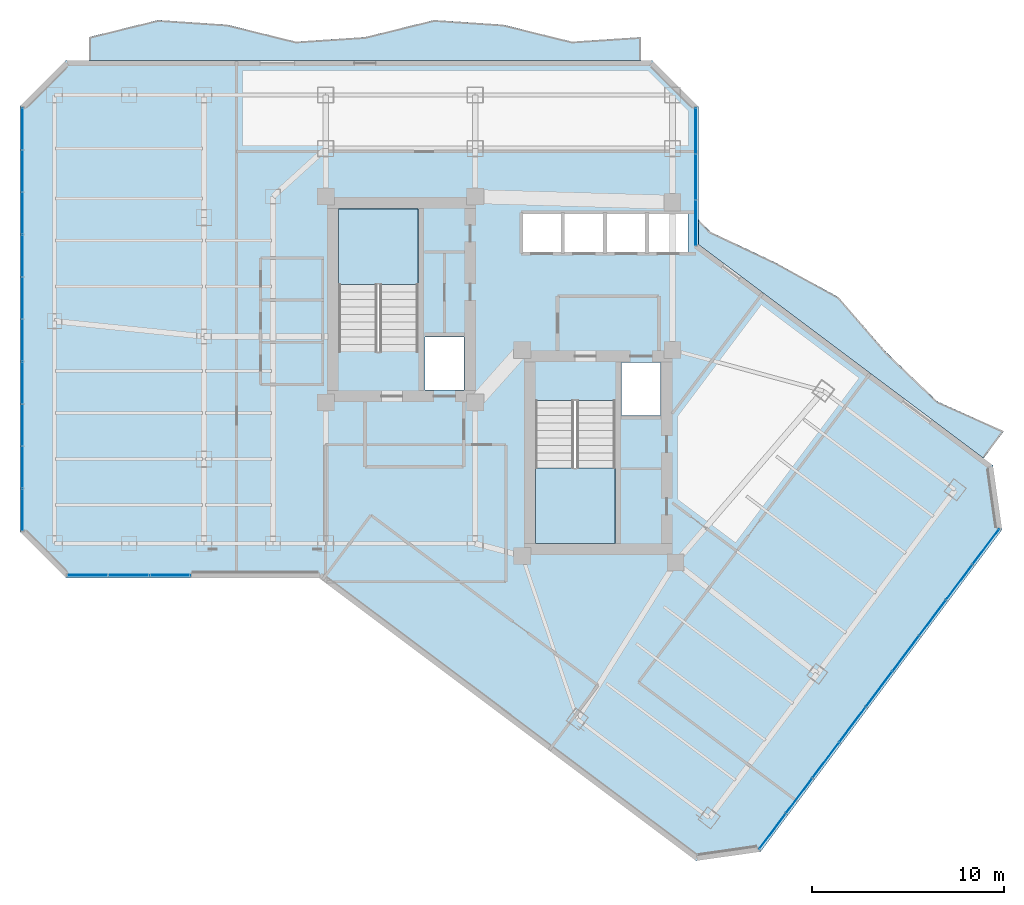
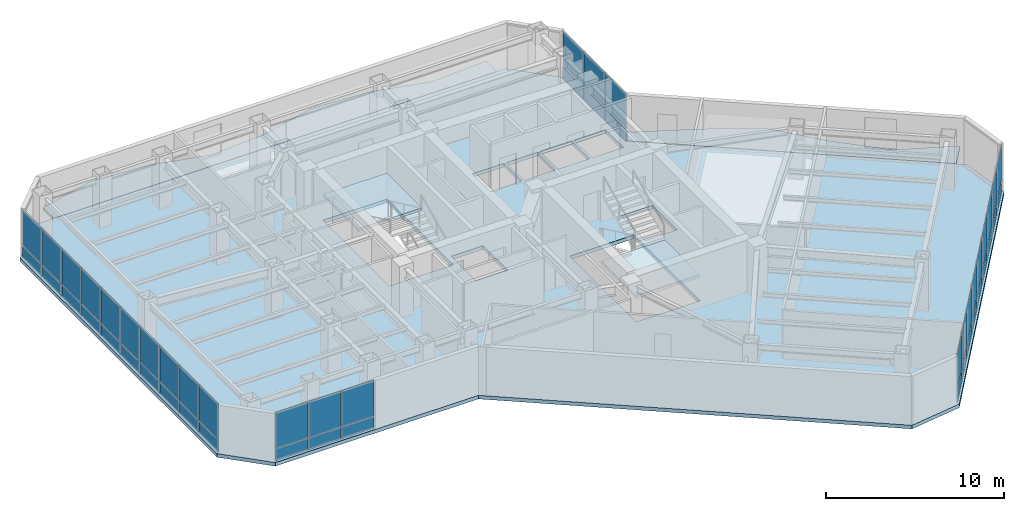
# One storey, part 20 of 26: 50 plates, 5 slabs, 6 elements without a shape of their own.
"""IFC4 building model written with IfcOpenShell, lengths in metres."""

from ifc_helpers import new_model, si_unit, direction, frame, origin, origin_2d, place, context, subcontext, project, spatial, polyline, rectangle, outline, extrude, material, layer, layer_set, type_object, element, aggregate, save


model = new_model("IFC4")

# Units and contexts
model_context = context("Model", 3, precision=1e-05, world=origin(), true_north=direction((0.0, 1.0)))
body_context = subcontext(model_context, "Body", "Model", "MODEL_VIEW")
ifc_project = project(units=[si_unit("LENGTHUNIT", "METRE"), si_unit("AREAUNIT", "SQUARE_METRE"), si_unit("VOLUMEUNIT", "CUBIC_METRE"), si_unit("PLANEANGLEUNIT", "RADIAN"), si_unit("MASSUNIT", "GRAM", prefix="KILO")], contexts=[model_context])

# Site, building, storey
site_placement = place(None, origin())
site = spatial("IfcSite", under=ifc_project, at=site_placement, CompositionType="ELEMENT")
building_placement = place(site_placement, origin())
building = spatial("IfcBuilding", under=site, at=building_placement, Name="Hatsunagi Terrace Concourse", CompositionType="ELEMENT")
storey_placement = place(building_placement, frame((0.0, 0.0, 152.85009765625)))
storey = spatial("IfcBuildingStorey", under=building, at=storey_placement, Name="L40", CompositionType="ELEMENT", Elevation=152.85009765625)

# Curtain wall, plates
ifc_material_1 = material(Name="Anodised Aluminium Alloy 6063-T5", Category="aluminium")
ifc_layer_1 = layer(ifc_material_1, 0.199951171875)
ifc_layer_set_1 = layer_set([ifc_layer_1], Name="OfficeZone1_CW03")
curtain_wall_type = type_object("IfcCurtainWallType", Name="OfficeZone1_CW03", PredefinedType="NOTDEFINED", material=ifc_layer_set_1)
curtain_wall_1_placement = place(storey_placement, origin())
curtain_wall_1 = element("IfcCurtainWall", 1, at=curtain_wall_1_placement, inside=storey, type_object=curtain_wall_type, Name="Unitised Curtain Wall CW-03 CW-L40-03", PredefinedType="NOTDEFINED")
ifc_material_2 = material(Name="Warm Terracotta Ceramic Spandrel Panel", Category="masonry")
ifc_layer_2 = layer(ifc_material_2, 0.031982421875)
ifc_layer_set_2 = layer_set([ifc_layer_2], Name="CurtainWallSpandrelPanel_32")
plate_type_1 = type_object("IfcPlateType", Name="CurtainWallSpandrelPanel_32", PredefinedType="SHEET", material=ifc_layer_set_2)
plate_1_placement = place(storey_placement, frame((59.9970703125, 25.030029296875, 0.02978515625), z_axis=(0.0, 0.0, 1.0), x_axis=(-0.599969314634, -0.800023013105, 0.0)))
plate_1 = element("IfcPlate", 2, at=plate_1_placement, type_object=plate_type_1, Name="Terracotta Spandrel Panel SPN-01", PredefinedType="SHEET", context=body_context, shape_type="SweptSolid", body=[
    extrude(rectangle(XDim=2.264892578125, YDim=0.031982421875, at=origin_2d()), origin(), (0.0, 0.0, 1.0), 0.7900390625),
])
plate_2_placement = place(storey_placement, frame((58.60498046875, 23.173095703125, 0.02978515625), z_axis=(0.0, 0.0, 1.0), x_axis=(-0.599969314634, -0.800023013105, 0.0)))
plate_2 = element("IfcPlate", 3, at=plate_2_placement, type_object=plate_type_1, Name="Terracotta Spandrel Panel SPN-01", PredefinedType="SHEET", context=body_context, shape_type="SweptSolid", body=[
    extrude(rectangle(XDim=2.264892578125, YDim=0.031982421875, at=origin_2d()), origin(), (0.0, 0.0, 1.0), 0.7900390625),
])
plate_3_placement = place(storey_placement, frame((57.2119140625, 21.31689453125, 0.02978515625), z_axis=(0.0, 0.0, 1.0), x_axis=(-0.599969314634, -0.800023013105, 0.0)))
plate_3 = element("IfcPlate", 4, at=plate_3_placement, type_object=plate_type_1, Name="Terracotta Spandrel Panel SPN-01", PredefinedType="SHEET", context=body_context, shape_type="SweptSolid", body=[
    extrude(rectangle(XDim=2.264892578125, YDim=0.031982421875, at=origin_2d()), origin(), (0.0, 0.0, 1.0), 0.7900390625),
])
plate_4_placement = place(storey_placement, frame((55.820068359375, 19.4599609375, 0.02978515625), z_axis=(0.0, 0.0, 1.0), x_axis=(-0.599969314634, -0.800023013105, 0.0)))
plate_4 = element("IfcPlate", 5, at=plate_4_placement, type_object=plate_type_1, Name="Terracotta Spandrel Panel SPN-01", PredefinedType="SHEET", context=body_context, shape_type="SweptSolid", body=[
    extrude(rectangle(XDim=2.264892578125, YDim=0.031982421875, at=origin_2d()), origin(), (0.0, 0.0, 1.0), 0.7900390625),
])
plate_5_placement = place(storey_placement, frame((54.427978515625, 17.60400390625, 0.02978515625), z_axis=(0.0, 0.0, 1.0), x_axis=(-0.599969314634, -0.800023013105, 0.0)))
plate_5 = element("IfcPlate", 6, at=plate_5_placement, type_object=plate_type_1, Name="Terracotta Spandrel Panel SPN-01", PredefinedType="SHEET", context=body_context, shape_type="SweptSolid", body=[
    extrude(rectangle(XDim=2.264892578125, YDim=0.031982421875, at=origin_2d()), origin(), (0.0, 0.0, 1.0), 0.7900390625),
])
plate_6_placement = place(storey_placement, frame((53.035888671875, 15.748046875, 0.02978515625), z_axis=(0.0, 0.0, 1.0), x_axis=(-0.599969314634, -0.800023013105, 0.0)))
plate_6 = element("IfcPlate", 7, at=plate_6_placement, type_object=plate_type_1, Name="Terracotta Spandrel Panel SPN-01", PredefinedType="SHEET", context=body_context, shape_type="SweptSolid", body=[
    extrude(rectangle(XDim=2.264892578125, YDim=0.031982421875, at=origin_2d()), origin(), (0.0, 0.0, 1.0), 0.7900390625),
])
plate_7_placement = place(storey_placement, frame((51.64404296875, 13.89111328125, 0.02978515625), z_axis=(0.0, 0.0, 1.0), x_axis=(-0.599969314634, -0.800023013105, 0.0)))
plate_7 = element("IfcPlate", 8, at=plate_7_placement, type_object=plate_type_1, Name="Terracotta Spandrel Panel SPN-01", PredefinedType="SHEET", context=body_context, shape_type="SweptSolid", body=[
    extrude(rectangle(XDim=2.264892578125, YDim=0.031982421875, at=origin_2d()), origin(), (0.0, 0.0, 1.0), 0.7900390625),
])
plate_8_placement = place(storey_placement, frame((50.2509765625, 12.034912109375, 0.02978515625), z_axis=(0.0, 0.0, 1.0), x_axis=(-0.599969314634, -0.800023013105, 0.0)))
plate_8 = element("IfcPlate", 9, at=plate_8_placement, type_object=plate_type_1, Name="Terracotta Spandrel Panel SPN-01", PredefinedType="SHEET", context=body_context, shape_type="SweptSolid", body=[
    extrude(rectangle(XDim=2.264892578125, YDim=0.031982421875, at=origin_2d()), origin(), (0.0, 0.0, 1.0), 0.7900390625),
])
plate_9_placement = place(storey_placement, frame((48.85888671875, 10.177978515625, 0.02978515625), z_axis=(0.0, 0.0, 1.0), x_axis=(-0.599969314634, -0.800023013105, 0.0)))
plate_9 = element("IfcPlate", 10, at=plate_9_placement, type_object=plate_type_1, Name="Terracotta Spandrel Panel SPN-01", PredefinedType="SHEET", context=body_context, shape_type="SweptSolid", body=[
    extrude(rectangle(XDim=2.264892578125, YDim=0.031982421875, at=origin_2d()), origin(), (0.0, 0.0, 1.0), 0.7900390625),
])

curtain_wall_2_placement = place(storey_placement, origin())
curtain_wall_2 = element("IfcCurtainWall", 11, at=curtain_wall_2_placement, inside=storey, type_object=curtain_wall_type, Name="Unitised Curtain Wall CW-03 CW-L40-07", PredefinedType="NOTDEFINED")
plate_10_placement = place(storey_placement, frame((17.426025390625, 23.5400390625, 0.02978515625), z_axis=(0.0, 0.0, 1.0), x_axis=(-1.0, 0.0, 0.0)))
plate_10 = element("IfcPlate", 12, at=plate_10_placement, type_object=plate_type_1, Name="Terracotta Spandrel Panel SPN-01", PredefinedType="SHEET", context=body_context, shape_type="SweptSolid", body=[
    extrude(rectangle(XDim=2.092041015625, YDim=0.031982421875, at=origin_2d()), origin(), (0.0, 0.0, 1.0), 0.7900390625),
])
plate_11_placement = place(storey_placement, frame((15.279052734375, 23.5400390625, 0.02978515625), z_axis=(0.0, 0.0, 1.0), x_axis=(-1.0, 0.0, 0.0)))
plate_11 = element("IfcPlate", 13, at=plate_11_placement, type_object=plate_type_1, Name="Terracotta Spandrel Panel SPN-01", PredefinedType="SHEET", context=body_context, shape_type="SweptSolid", body=[
    extrude(rectangle(XDim=2.092041015625, YDim=0.031982421875, at=origin_2d()), origin(), (0.0, 0.0, 1.0), 0.7900390625),
])
plate_12_placement = place(storey_placement, frame((13.132080078125, 23.5400390625, 0.02978515625), z_axis=(0.0, 0.0, 1.0), x_axis=(-1.0, 0.0, 0.0)))
plate_12 = element("IfcPlate", 14, at=plate_12_placement, type_object=plate_type_1, Name="Terracotta Spandrel Panel SPN-01", PredefinedType="SHEET", context=body_context, shape_type="SweptSolid", body=[
    extrude(rectangle(XDim=2.092041015625, YDim=0.031982421875, at=origin_2d()), origin(), (0.0, 0.0, 1.0), 0.7900390625),
])

curtain_wall_3_placement = place(storey_placement, origin())
curtain_wall_3 = element("IfcCurtainWall", 15, at=curtain_wall_3_placement, inside=storey, type_object=curtain_wall_type, Name="Unitised Curtain Wall CW-03 CW-L40-09", PredefinedType="NOTDEFINED")
plate_13_placement = place(storey_placement, frame((9.739990234375, 26.9619140625, 0.02978515625), z_axis=(0.0, 0.0, 1.0), x_axis=(0.0, 1.0, 0.0)))
plate_13 = element("IfcPlate", 16, at=plate_13_placement, type_object=plate_type_1, Name="Terracotta Spandrel Panel SPN-01", PredefinedType="SHEET", context=body_context, shape_type="SweptSolid", body=[
    extrude(rectangle(XDim=2.153076171875, YDim=0.031982421875, at=origin_2d()), origin(), (0.0, 0.0, 1.0), 0.7900390625),
])
plate_14_placement = place(storey_placement, frame((9.739990234375, 29.1708984375, 0.02978515625), z_axis=(0.0, 0.0, 1.0), x_axis=(0.0, 1.0, 0.0)))
plate_14 = element("IfcPlate", 17, at=plate_14_placement, type_object=plate_type_1, Name="Terracotta Spandrel Panel SPN-01", PredefinedType="SHEET", context=body_context, shape_type="SweptSolid", body=[
    extrude(rectangle(XDim=2.153076171875, YDim=0.031982421875, at=origin_2d()), origin(), (0.0, 0.0, 1.0), 0.7900390625),
])
plate_15_placement = place(storey_placement, frame((9.739990234375, 31.37890625, 0.02978515625), z_axis=(0.0, 0.0, 1.0), x_axis=(0.0, 1.0, 0.0)))
plate_15 = element("IfcPlate", 18, at=plate_15_placement, type_object=plate_type_1, Name="Terracotta Spandrel Panel SPN-01", PredefinedType="SHEET", context=body_context, shape_type="SweptSolid", body=[
    extrude(rectangle(XDim=2.153076171875, YDim=0.031982421875, at=origin_2d()), origin(), (0.0, 0.0, 1.0), 0.7900390625),
])
plate_16_placement = place(storey_placement, frame((9.739990234375, 33.5869140625, 0.02978515625), z_axis=(0.0, 0.0, 1.0), x_axis=(0.0, 1.0, 0.0)))
plate_16 = element("IfcPlate", 19, at=plate_16_placement, type_object=plate_type_1, Name="Terracotta Spandrel Panel SPN-01", PredefinedType="SHEET", context=body_context, shape_type="SweptSolid", body=[
    extrude(rectangle(XDim=2.153076171875, YDim=0.031982421875, at=origin_2d()), origin(), (0.0, 0.0, 1.0), 0.7900390625),
])
plate_17_placement = place(storey_placement, frame((9.739990234375, 35.7958984375, 0.02978515625), z_axis=(0.0, 0.0, 1.0), x_axis=(0.0, 1.0, 0.0)))
plate_17 = element("IfcPlate", 20, at=plate_17_placement, type_object=plate_type_1, Name="Terracotta Spandrel Panel SPN-01", PredefinedType="SHEET", context=body_context, shape_type="SweptSolid", body=[
    extrude(rectangle(XDim=2.153076171875, YDim=0.031982421875, at=origin_2d()), origin(), (0.0, 0.0, 1.0), 0.7900390625),
])
plate_18_placement = place(storey_placement, frame((9.739990234375, 38.00390625, 0.02978515625), z_axis=(0.0, 0.0, 1.0), x_axis=(0.0, 1.0, 0.0)))
plate_18 = element("IfcPlate", 21, at=plate_18_placement, type_object=plate_type_1, Name="Terracotta Spandrel Panel SPN-01", PredefinedType="SHEET", context=body_context, shape_type="SweptSolid", body=[
    extrude(rectangle(XDim=2.153076171875, YDim=0.031982421875, at=origin_2d()), origin(), (0.0, 0.0, 1.0), 0.7900390625),
])
plate_19_placement = place(storey_placement, frame((9.739990234375, 40.212890625, 0.02978515625), z_axis=(0.0, 0.0, 1.0), x_axis=(0.0, 1.0, 0.0)))
plate_19 = element("IfcPlate", 22, at=plate_19_placement, type_object=plate_type_1, Name="Terracotta Spandrel Panel SPN-01", PredefinedType="SHEET", context=body_context, shape_type="SweptSolid", body=[
    extrude(rectangle(XDim=2.153076171875, YDim=0.031982421875, at=origin_2d()), origin(), (0.0, 0.0, 1.0), 0.7900390625),
])
plate_20_placement = place(storey_placement, frame((9.739990234375, 42.4208984375, 0.02978515625), z_axis=(0.0, 0.0, 1.0), x_axis=(0.0, 1.0, 0.0)))
plate_20 = element("IfcPlate", 23, at=plate_20_placement, type_object=plate_type_1, Name="Terracotta Spandrel Panel SPN-01", PredefinedType="SHEET", context=body_context, shape_type="SweptSolid", body=[
    extrude(rectangle(XDim=2.153076171875, YDim=0.031982421875, at=origin_2d()), origin(), (0.0, 0.0, 1.0), 0.7900390625),
])
plate_21_placement = place(storey_placement, frame((9.739990234375, 44.62890625, 0.02978515625), z_axis=(0.0, 0.0, 1.0), x_axis=(0.0, 1.0, 0.0)))
plate_21 = element("IfcPlate", 24, at=plate_21_placement, type_object=plate_type_1, Name="Terracotta Spandrel Panel SPN-01", PredefinedType="SHEET", context=body_context, shape_type="SweptSolid", body=[
    extrude(rectangle(XDim=2.153076171875, YDim=0.031982421875, at=origin_2d()), origin(), (0.0, 0.0, 1.0), 0.7900390625),
])
plate_22_placement = place(storey_placement, frame((9.739990234375, 46.837890625, 0.02978515625), z_axis=(0.0, 0.0, 1.0), x_axis=(0.0, 1.0, 0.0)))
plate_22 = element("IfcPlate", 25, at=plate_22_placement, type_object=plate_type_1, Name="Terracotta Spandrel Panel SPN-01", PredefinedType="SHEET", context=body_context, shape_type="SweptSolid", body=[
    extrude(rectangle(XDim=2.153076171875, YDim=0.031982421875, at=origin_2d()), origin(), (0.0, 0.0, 1.0), 0.7900390625),
])

curtain_wall_4_placement = place(storey_placement, origin())
curtain_wall_4 = element("IfcCurtainWall", 26, at=curtain_wall_4_placement, inside=storey, type_object=curtain_wall_type, Name="Unitised Curtain Wall CW-03 CW-L40-13", PredefinedType="NOTDEFINED")
plate_23_placement = place(storey_placement, frame((44.860107421875, 46.739990234375, 0.02978515625), z_axis=(0.0, 0.0, 1.0), x_axis=(0.0, -1.0, 0.0)))
plate_23 = element("IfcPlate", 27, at=plate_23_placement, type_object=plate_type_1, Name="Terracotta Spandrel Panel SPN-01", PredefinedType="SHEET", context=body_context, shape_type="SweptSolid", body=[
    extrude(rectangle(XDim=2.34912109375, YDim=0.031982421875, at=origin_2d()), origin(), (0.0, 0.0, 1.0), 0.7900390625),
])
plate_24_placement = place(storey_placement, frame((44.860107421875, 44.3359375, 0.02978515625), z_axis=(0.0, 0.0, 1.0), x_axis=(0.0, -1.0, 0.0)))
plate_24 = element("IfcPlate", 28, at=plate_24_placement, type_object=plate_type_1, Name="Terracotta Spandrel Panel SPN-01", PredefinedType="SHEET", context=body_context, shape_type="SweptSolid", body=[
    extrude(rectangle(XDim=2.34912109375, YDim=0.031982421875, at=origin_2d()), origin(), (0.0, 0.0, 1.0), 0.7900390625),
])
plate_25_placement = place(storey_placement, frame((44.860107421875, 41.931884765625, 0.02978515625), z_axis=(0.0, 0.0, 1.0), x_axis=(0.0, -1.0, 0.0)))
plate_25 = element("IfcPlate", 29, at=plate_25_placement, type_object=plate_type_1, Name="Terracotta Spandrel Panel SPN-01", PredefinedType="SHEET", context=body_context, shape_type="SweptSolid", body=[
    extrude(rectangle(XDim=2.34912109375, YDim=0.031982421875, at=origin_2d()), origin(), (0.0, 0.0, 1.0), 0.7900390625),
])

# Plate
ifc_material_3 = material(Name="Low-E Double Insulating Glass 28mm", Category="glass")
ifc_layer_3 = layer(ifc_material_3, 0.028076171875)
ifc_layer_set_3 = layer_set([ifc_layer_3], Name="CurtainWallVisionGlass_28")
plate_type_2 = type_object("IfcPlateType", Name="CurtainWallVisionGlass_28", PredefinedType="CURTAIN_PANEL", material=ifc_layer_set_3)
plate_26_placement = place(storey_placement, frame((59.9970703125, 25.030029296875, 0.8798828125), z_axis=(0.0, 0.0, 1.0), x_axis=(-0.599969314634, -0.800023013105, 0.0)))
plate_26 = element("IfcPlate", 30, at=plate_26_placement, type_object=plate_type_2, Name="Low-E Vision Glass Panel GLZ-01", PredefinedType="CURTAIN_PANEL", context=body_context, shape_type="SweptSolid", body=[
    extrude(rectangle(XDim=2.264892578125, YDim=0.028076171875, at=origin_2d()), origin(), (0.0, 0.0, 1.0), 2.43994140625),
])

plate_27_placement = place(storey_placement, frame((58.60498046875, 23.173095703125, 0.8798828125), z_axis=(0.0, 0.0, 1.0), x_axis=(-0.599969314634, -0.800023013105, 0.0)))
plate_27 = element("IfcPlate", 31, at=plate_27_placement, type_object=plate_type_2, Name="Low-E Vision Glass Panel GLZ-01", PredefinedType="CURTAIN_PANEL", context=body_context, shape_type="SweptSolid", body=[
    extrude(rectangle(XDim=2.264892578125, YDim=0.028076171875, at=origin_2d()), origin(), (0.0, 0.0, 1.0), 2.43994140625),
])

plate_28_placement = place(storey_placement, frame((57.2119140625, 21.31689453125, 0.8798828125), z_axis=(0.0, 0.0, 1.0), x_axis=(-0.599969314634, -0.800023013105, 0.0)))
plate_28 = element("IfcPlate", 32, at=plate_28_placement, type_object=plate_type_2, Name="Low-E Vision Glass Panel GLZ-01", PredefinedType="CURTAIN_PANEL", context=body_context, shape_type="SweptSolid", body=[
    extrude(rectangle(XDim=2.264892578125, YDim=0.028076171875, at=origin_2d()), origin(), (0.0, 0.0, 1.0), 2.43994140625),
])

plate_29_placement = place(storey_placement, frame((55.820068359375, 19.4599609375, 0.8798828125), z_axis=(0.0, 0.0, 1.0), x_axis=(-0.599969314634, -0.800023013105, 0.0)))
plate_29 = element("IfcPlate", 33, at=plate_29_placement, type_object=plate_type_2, Name="Low-E Vision Glass Panel GLZ-01", PredefinedType="CURTAIN_PANEL", context=body_context, shape_type="SweptSolid", body=[
    extrude(rectangle(XDim=2.264892578125, YDim=0.028076171875, at=origin_2d()), origin(), (0.0, 0.0, 1.0), 2.43994140625),
])

plate_30_placement = place(storey_placement, frame((54.427978515625, 17.60400390625, 0.8798828125), z_axis=(0.0, 0.0, 1.0), x_axis=(-0.599969314634, -0.800023013105, 0.0)))
plate_30 = element("IfcPlate", 34, at=plate_30_placement, type_object=plate_type_2, Name="Low-E Vision Glass Panel GLZ-01", PredefinedType="CURTAIN_PANEL", context=body_context, shape_type="SweptSolid", body=[
    extrude(rectangle(XDim=2.264892578125, YDim=0.028076171875, at=origin_2d()), origin(), (0.0, 0.0, 1.0), 2.43994140625),
])

plate_31_placement = place(storey_placement, frame((53.035888671875, 15.748046875, 0.8798828125), z_axis=(0.0, 0.0, 1.0), x_axis=(-0.599969314634, -0.800023013105, 0.0)))
plate_31 = element("IfcPlate", 35, at=plate_31_placement, type_object=plate_type_2, Name="Low-E Vision Glass Panel GLZ-01", PredefinedType="CURTAIN_PANEL", context=body_context, shape_type="SweptSolid", body=[
    extrude(rectangle(XDim=2.264892578125, YDim=0.028076171875, at=origin_2d()), origin(), (0.0, 0.0, 1.0), 2.43994140625),
])

plate_32_placement = place(storey_placement, frame((51.64404296875, 13.89111328125, 0.8798828125), z_axis=(0.0, 0.0, 1.0), x_axis=(-0.599969314634, -0.800023013105, 0.0)))
plate_32 = element("IfcPlate", 36, at=plate_32_placement, type_object=plate_type_2, Name="Low-E Vision Glass Panel GLZ-01", PredefinedType="CURTAIN_PANEL", context=body_context, shape_type="SweptSolid", body=[
    extrude(rectangle(XDim=2.264892578125, YDim=0.028076171875, at=origin_2d()), origin(), (0.0, 0.0, 1.0), 2.43994140625),
])

plate_33_placement = place(storey_placement, frame((50.2509765625, 12.034912109375, 0.8798828125), z_axis=(0.0, 0.0, 1.0), x_axis=(-0.599969314634, -0.800023013105, 0.0)))
plate_33 = element("IfcPlate", 37, at=plate_33_placement, type_object=plate_type_2, Name="Low-E Vision Glass Panel GLZ-01", PredefinedType="CURTAIN_PANEL", context=body_context, shape_type="SweptSolid", body=[
    extrude(rectangle(XDim=2.264892578125, YDim=0.028076171875, at=origin_2d()), origin(), (0.0, 0.0, 1.0), 2.43994140625),
])

plate_34_placement = place(storey_placement, frame((48.85888671875, 10.177978515625, 0.8798828125), z_axis=(0.0, 0.0, 1.0), x_axis=(-0.599969314634, -0.800023013105, 0.0)))
plate_34 = element("IfcPlate", 38, at=plate_34_placement, type_object=plate_type_2, Name="Low-E Vision Glass Panel GLZ-01", PredefinedType="CURTAIN_PANEL", context=body_context, shape_type="SweptSolid", body=[
    extrude(rectangle(XDim=2.264892578125, YDim=0.028076171875, at=origin_2d()), origin(), (0.0, 0.0, 1.0), 2.43994140625),
])

aggregate(curtain_wall_1, [plate_1, plate_26, plate_2, plate_27, plate_3, plate_28, plate_4, plate_29, plate_5, plate_30, plate_6, plate_31, plate_7, plate_32, plate_8, plate_33, plate_9, plate_34])

plate_35_placement = place(storey_placement, frame((17.426025390625, 23.5400390625, 0.8798828125), z_axis=(0.0, 0.0, 1.0), x_axis=(-1.0, 0.0, 0.0)))
plate_35 = element("IfcPlate", 39, at=plate_35_placement, type_object=plate_type_2, Name="Low-E Vision Glass Panel GLZ-01", PredefinedType="CURTAIN_PANEL", context=body_context, shape_type="SweptSolid", body=[
    extrude(rectangle(XDim=2.092041015625, YDim=0.028076171875, at=origin_2d()), origin(), (0.0, 0.0, 1.0), 2.43994140625),
])

plate_36_placement = place(storey_placement, frame((15.279052734375, 23.5400390625, 0.8798828125), z_axis=(0.0, 0.0, 1.0), x_axis=(-1.0, 0.0, 0.0)))
plate_36 = element("IfcPlate", 40, at=plate_36_placement, type_object=plate_type_2, Name="Low-E Vision Glass Panel GLZ-01", PredefinedType="CURTAIN_PANEL", context=body_context, shape_type="SweptSolid", body=[
    extrude(rectangle(XDim=2.092041015625, YDim=0.028076171875, at=origin_2d()), origin(), (0.0, 0.0, 1.0), 2.43994140625),
])

plate_37_placement = place(storey_placement, frame((13.132080078125, 23.5400390625, 0.8798828125), z_axis=(0.0, 0.0, 1.0), x_axis=(-1.0, 0.0, 0.0)))
plate_37 = element("IfcPlate", 41, at=plate_37_placement, type_object=plate_type_2, Name="Low-E Vision Glass Panel GLZ-01", PredefinedType="CURTAIN_PANEL", context=body_context, shape_type="SweptSolid", body=[
    extrude(rectangle(XDim=2.092041015625, YDim=0.028076171875, at=origin_2d()), origin(), (0.0, 0.0, 1.0), 2.43994140625),
])

aggregate(curtain_wall_2, [plate_10, plate_35, plate_11, plate_36, plate_12, plate_37])

plate_38_placement = place(storey_placement, frame((9.739990234375, 26.9619140625, 0.8798828125), z_axis=(0.0, 0.0, 1.0), x_axis=(0.0, 1.0, 0.0)))
plate_38 = element("IfcPlate", 42, at=plate_38_placement, type_object=plate_type_2, Name="Low-E Vision Glass Panel GLZ-01", PredefinedType="CURTAIN_PANEL", context=body_context, shape_type="SweptSolid", body=[
    extrude(rectangle(XDim=2.153076171875, YDim=0.028076171875, at=origin_2d()), origin(), (0.0, 0.0, 1.0), 2.43994140625),
])

plate_39_placement = place(storey_placement, frame((9.739990234375, 29.1708984375, 0.8798828125), z_axis=(0.0, 0.0, 1.0), x_axis=(0.0, 1.0, 0.0)))
plate_39 = element("IfcPlate", 43, at=plate_39_placement, type_object=plate_type_2, Name="Low-E Vision Glass Panel GLZ-01", PredefinedType="CURTAIN_PANEL", context=body_context, shape_type="SweptSolid", body=[
    extrude(rectangle(XDim=2.153076171875, YDim=0.028076171875, at=origin_2d()), origin(), (0.0, 0.0, 1.0), 2.43994140625),
])

plate_40_placement = place(storey_placement, frame((9.739990234375, 31.37890625, 0.8798828125), z_axis=(0.0, 0.0, 1.0), x_axis=(0.0, 1.0, 0.0)))
plate_40 = element("IfcPlate", 44, at=plate_40_placement, type_object=plate_type_2, Name="Low-E Vision Glass Panel GLZ-01", PredefinedType="CURTAIN_PANEL", context=body_context, shape_type="SweptSolid", body=[
    extrude(rectangle(XDim=2.153076171875, YDim=0.028076171875, at=origin_2d()), origin(), (0.0, 0.0, 1.0), 2.43994140625),
])

plate_41_placement = place(storey_placement, frame((9.739990234375, 33.5869140625, 0.8798828125), z_axis=(0.0, 0.0, 1.0), x_axis=(0.0, 1.0, 0.0)))
plate_41 = element("IfcPlate", 45, at=plate_41_placement, type_object=plate_type_2, Name="Low-E Vision Glass Panel GLZ-01", PredefinedType="CURTAIN_PANEL", context=body_context, shape_type="SweptSolid", body=[
    extrude(rectangle(XDim=2.153076171875, YDim=0.028076171875, at=origin_2d()), origin(), (0.0, 0.0, 1.0), 2.43994140625),
])

plate_42_placement = place(storey_placement, frame((9.739990234375, 35.7958984375, 0.8798828125), z_axis=(0.0, 0.0, 1.0), x_axis=(0.0, 1.0, 0.0)))
plate_42 = element("IfcPlate", 46, at=plate_42_placement, type_object=plate_type_2, Name="Low-E Vision Glass Panel GLZ-01", PredefinedType="CURTAIN_PANEL", context=body_context, shape_type="SweptSolid", body=[
    extrude(rectangle(XDim=2.153076171875, YDim=0.028076171875, at=origin_2d()), origin(), (0.0, 0.0, 1.0), 2.43994140625),
])

plate_43_placement = place(storey_placement, frame((9.739990234375, 38.00390625, 0.8798828125), z_axis=(0.0, 0.0, 1.0), x_axis=(0.0, 1.0, 0.0)))
plate_43 = element("IfcPlate", 47, at=plate_43_placement, type_object=plate_type_2, Name="Low-E Vision Glass Panel GLZ-01", PredefinedType="CURTAIN_PANEL", context=body_context, shape_type="SweptSolid", body=[
    extrude(rectangle(XDim=2.153076171875, YDim=0.028076171875, at=origin_2d()), origin(), (0.0, 0.0, 1.0), 2.43994140625),
])

plate_44_placement = place(storey_placement, frame((9.739990234375, 40.212890625, 0.8798828125), z_axis=(0.0, 0.0, 1.0), x_axis=(0.0, 1.0, 0.0)))
plate_44 = element("IfcPlate", 48, at=plate_44_placement, type_object=plate_type_2, Name="Low-E Vision Glass Panel GLZ-01", PredefinedType="CURTAIN_PANEL", context=body_context, shape_type="SweptSolid", body=[
    extrude(rectangle(XDim=2.153076171875, YDim=0.028076171875, at=origin_2d()), origin(), (0.0, 0.0, 1.0), 2.43994140625),
])

plate_45_placement = place(storey_placement, frame((9.739990234375, 42.4208984375, 0.8798828125), z_axis=(0.0, 0.0, 1.0), x_axis=(0.0, 1.0, 0.0)))
plate_45 = element("IfcPlate", 49, at=plate_45_placement, type_object=plate_type_2, Name="Low-E Vision Glass Panel GLZ-01", PredefinedType="CURTAIN_PANEL", context=body_context, shape_type="SweptSolid", body=[
    extrude(rectangle(XDim=2.153076171875, YDim=0.028076171875, at=origin_2d()), origin(), (0.0, 0.0, 1.0), 2.43994140625),
])

plate_46_placement = place(storey_placement, frame((9.739990234375, 44.62890625, 0.8798828125), z_axis=(0.0, 0.0, 1.0), x_axis=(0.0, 1.0, 0.0)))
plate_46 = element("IfcPlate", 50, at=plate_46_placement, type_object=plate_type_2, Name="Low-E Vision Glass Panel GLZ-01", PredefinedType="CURTAIN_PANEL", context=body_context, shape_type="SweptSolid", body=[
    extrude(rectangle(XDim=2.153076171875, YDim=0.028076171875, at=origin_2d()), origin(), (0.0, 0.0, 1.0), 2.43994140625),
])

plate_47_placement = place(storey_placement, frame((9.739990234375, 46.837890625, 0.8798828125), z_axis=(0.0, 0.0, 1.0), x_axis=(0.0, 1.0, 0.0)))
plate_47 = element("IfcPlate", 51, at=plate_47_placement, type_object=plate_type_2, Name="Low-E Vision Glass Panel GLZ-01", PredefinedType="CURTAIN_PANEL", context=body_context, shape_type="SweptSolid", body=[
    extrude(rectangle(XDim=2.153076171875, YDim=0.028076171875, at=origin_2d()), origin(), (0.0, 0.0, 1.0), 2.43994140625),
])

aggregate(curtain_wall_3, [plate_13, plate_38, plate_14, plate_39, plate_15, plate_40, plate_16, plate_41, plate_17, plate_42, plate_18, plate_43, plate_19, plate_44, plate_20, plate_45, plate_21, plate_46, plate_22, plate_47])

plate_48_placement = place(storey_placement, frame((44.860107421875, 46.739990234375, 0.8798828125), z_axis=(0.0, 0.0, 1.0), x_axis=(0.0, -1.0, 0.0)))
plate_48 = element("IfcPlate", 52, at=plate_48_placement, type_object=plate_type_2, Name="Low-E Vision Glass Panel GLZ-01", PredefinedType="CURTAIN_PANEL", context=body_context, shape_type="SweptSolid", body=[
    extrude(rectangle(XDim=2.34912109375, YDim=0.028076171875, at=origin_2d()), origin(), (0.0, 0.0, 1.0), 2.43994140625),
])

plate_49_placement = place(storey_placement, frame((44.860107421875, 44.3359375, 0.8798828125), z_axis=(0.0, 0.0, 1.0), x_axis=(0.0, -1.0, 0.0)))
plate_49 = element("IfcPlate", 53, at=plate_49_placement, type_object=plate_type_2, Name="Low-E Vision Glass Panel GLZ-01", PredefinedType="CURTAIN_PANEL", context=body_context, shape_type="SweptSolid", body=[
    extrude(rectangle(XDim=2.34912109375, YDim=0.028076171875, at=origin_2d()), origin(), (0.0, 0.0, 1.0), 2.43994140625),
])

plate_50_placement = place(storey_placement, frame((44.860107421875, 41.931884765625, 0.8798828125), z_axis=(0.0, 0.0, 1.0), x_axis=(0.0, -1.0, 0.0)))
plate_50 = element("IfcPlate", 54, at=plate_50_placement, type_object=plate_type_2, Name="Low-E Vision Glass Panel GLZ-01", PredefinedType="CURTAIN_PANEL", context=body_context, shape_type="SweptSolid", body=[
    extrude(rectangle(XDim=2.34912109375, YDim=0.028076171875, at=origin_2d()), origin(), (0.0, 0.0, 1.0), 2.43994140625),
])

aggregate(curtain_wall_4, [plate_23, plate_48, plate_24, plate_49, plate_25, plate_50])

# Stair, slab
ifc_material_4 = material(Name="Concrete Fc42", Category="concrete")
stair_type = type_object("IfcStairType", Name="DoglegExitStair_Tower2000_20R_180", PredefinedType="HALF_TURN_STAIR", material=ifc_material_4)
stair_1_placement = place(storey_placement, origin())
stair_1 = element("IfcStair", 55, at=stair_1_placement, inside=storey, type_object=stair_type, Name="L40 Core A Protected Exit Stair ST-A", PredefinedType="HALF_TURN_STAIR")
ifc_material_5 = material(Name="Concrete Fc42", Category="concrete")
ifc_layer_4 = layer(ifc_material_5, 0.199951171875)
ifc_layer_set_4 = layer_set([ifc_layer_4], Name="DoglegStairLanding_Tower2000")
slab_type_1 = type_object("IfcSlabType", Name="DoglegStairLanding_Tower2000", PredefinedType="LANDING", material=ifc_layer_set_4)
slab_1_placement = place(storey_placement, frame((0.0, 0.0, 1.599853515625)))
slab_1 = element("IfcSlab", 56, at=slab_1_placement, type_object=slab_type_1, Name="ST-A landing 1", PredefinedType="LANDING", context=body_context, shape_type="SweptSolid", body=[
    extrude(outline(polyline([(30.3798828125, 38.7099609375), (30.3798828125, 42.659912109375), (26.22998046875, 42.659912109375), (26.22998046875, 38.7099609375), (30.3798828125, 38.7099609375)])), origin(), (0.0, 0.0, 1.0), 0.199951171875),
])
aggregate(stair_1, [slab_1])

stair_2_placement = place(storey_placement, origin())
stair_2 = element("IfcStair", 57, at=stair_2_placement, inside=storey, type_object=stair_type, Name="L40 Core B Protected Exit Stair ST-B", PredefinedType="HALF_TURN_STAIR")
slab_2_placement = place(storey_placement, frame((0.0, 0.0, 1.599853515625)))
slab_2 = element("IfcSlab", 58, at=slab_2_placement, type_object=slab_type_1, Name="ST-B landing 1", PredefinedType="LANDING", context=body_context, shape_type="SweptSolid", body=[
    extrude(outline(polyline([(36.5, 29.14990234375), (36.5, 25.199951171875), (40.64990234375, 25.199951171875), (40.64990234375, 29.14990234375), (36.5, 29.14990234375)])), origin(), (0.0, 0.0, 1.0), 0.199951171875),
])
aggregate(stair_2, [slab_2])

# Slabs
ifc_material_6 = material(Name="Concrete Fc42", Category="concrete")
ifc_layer_5 = layer(ifc_material_6, 0.199951171875)
ifc_layer_set_5 = layer_set([ifc_layer_5], Name="EngawaBalconySlab_Fc42_200")
slab_type_2 = type_object("IfcSlabType", Name="EngawaBalconySlab_Fc42_200", PredefinedType="FLOOR", material=ifc_layer_set_5)
slab_3_placement = place(storey_placement, frame((0.0, 0.0, -0.2001953125)))
element("IfcSlab", 59, at=slab_3_placement, inside=storey, type_object=slab_type_2, Name="Engawa Balcony Slab BAL-L40-BN", PredefinedType="FLOOR", context=body_context, shape_type="SweptSolid", body=[
    extrude(outline(polyline([(13.199951171875, 51.625), (13.199951171875, 50.39990234375), (42.0, 50.39990234375), (42.0, 51.625), (38.39990234375, 51.386962890625), (34.800048828125, 52.27490234375), (31.199951171875, 52.512939453125), (27.60009765625, 51.625), (24.0, 51.386962890625), (20.39990234375, 52.27490234375), (16.800048828125, 52.512939453125), (13.199951171875, 51.625)])), origin(), (0.0, 0.0, 1.0), 0.2001953125),
])
slab_4_placement = place(storey_placement, frame((0.0, 0.0, -0.2001953125)))
element("IfcSlab", 60, at=slab_4_placement, inside=storey, type_object=slab_type_2, Name="Engawa Balcony Slab BAL-L40-BSE", PredefinedType="FLOOR", context=body_context, shape_type="SweptSolid", body=[
    extrude(outline(polyline([(45.623046875, 41.464111328125), (44.99609375, 42.111083984375), (44.99609375, 40.802978515625), (59.8798828125, 29.639892578125), (60.943115234375, 31.05810546875), (57.47802734375, 32.60400390625), (54.7890625, 35.18505859375), (52.31103515625, 38.048095703125), (49.0380859375, 39.85009765625), (45.623046875, 41.464111328125)])), origin(), (0.0, 0.0, 1.0), 0.2001953125),
])
ifc_material_7 = material(Name="Concrete Fc42", Category="concrete")
ifc_layer_6 = layer(ifc_material_7, 0.25)
ifc_layer_set_6 = layer_set([ifc_layer_6], Name="OfficeCrownSlab_Fc42_250")
slab_type_3 = type_object("IfcSlabType", Name="OfficeCrownSlab_Fc42_250", PredefinedType="FLOOR", material=ifc_layer_set_6)
slab_5_placement = place(storey_placement, frame((0.0, 0.0, -0.25)))
element("IfcSlab", 61, at=slab_5_placement, inside=storey, type_object=slab_type_3, Name="Floor Slab SL-250 L40", PredefinedType="FLOOR", context=body_context, shape_type="SweptSolid", body=[
    extrude(outline(polyline([(45.0, 40.800048828125), (45.0, 48.0), (42.60009765625, 50.39990234375), (12.0, 50.39990234375), (9.60009765625, 48.0), (9.60009765625, 25.800048828125), (12.0, 23.39990234375), (25.199951171875, 23.39990234375), (44.8798828125, 8.639892578125), (48.239990234375, 9.1201171875), (60.840087890625, 25.919921875), (60.360107421875, 29.280029296875), (45.0, 40.800048828125)]), holes=[polyline([(26.22998046875, 35.205078125), (30.3798828125, 35.205078125), (30.3798828125, 42.659912109375), (26.22998046875, 42.659912109375), (26.22998046875, 35.205078125)]), polyline([(36.5, 25.199951171875), (40.64990234375, 25.199951171875), (40.64990234375, 32.655029296875), (36.5, 32.655029296875), (36.5, 25.199951171875)]), polyline([(30.719970703125, 33.219970703125), (32.780029296875, 33.219970703125), (32.780029296875, 35.97998046875), (30.719970703125, 35.97998046875), (30.719970703125, 33.219970703125)]), polyline([(40.97998046875, 31.8798828125), (43.02001953125, 31.8798828125), (43.02001953125, 34.639892578125), (40.97998046875, 34.639892578125), (40.97998046875, 31.8798828125)]), polyline([(35.800048828125, 40.39990234375), (37.85009765625, 40.39990234375), (37.85009765625, 42.39990234375), (35.800048828125, 42.39990234375), (35.800048828125, 40.39990234375)]), polyline([(38.0, 40.39990234375), (40.050048828125, 40.39990234375), (40.050048828125, 42.39990234375), (38.0, 42.39990234375), (38.0, 40.39990234375)]), polyline([(40.199951171875, 40.39990234375), (42.25, 40.39990234375), (42.25, 42.39990234375), (40.199951171875, 42.39990234375), (40.199951171875, 40.39990234375)]), polyline([(42.39990234375, 40.39990234375), (44.449951171875, 40.39990234375), (44.449951171875, 42.39990234375), (42.39990234375, 42.39990234375), (42.39990234375, 40.39990234375)])]), origin(), (0.0, 0.0, 1.0), 0.25),
])

save(model, "model.ifc")
